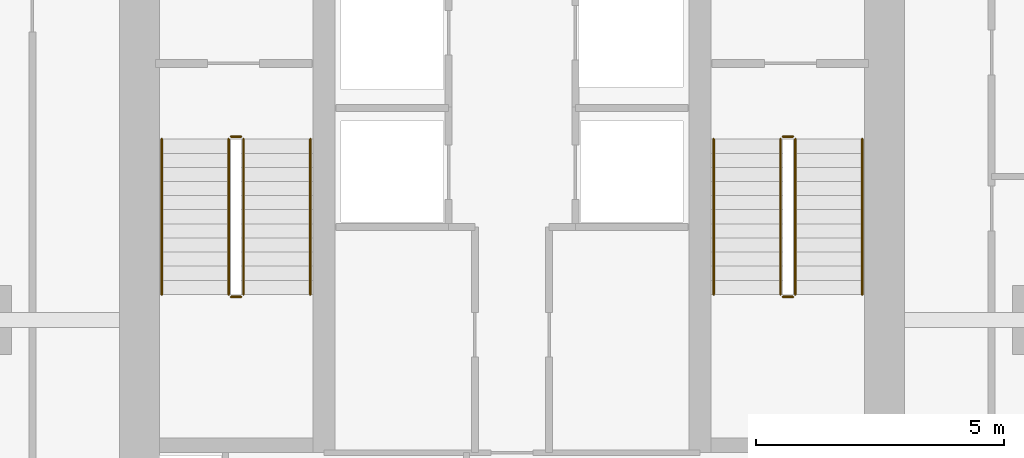
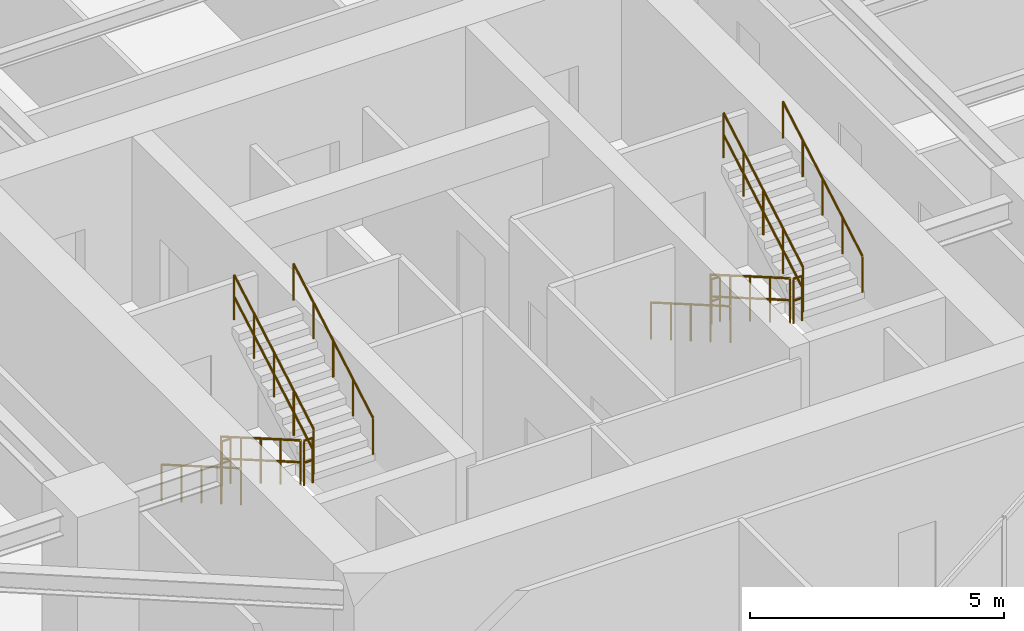
# One storey, part 19 of 20: 12 railings.
"""IFC4 building model written with IfcOpenShell, lengths in metres."""

from ifc_helpers import new_model, si_unit, direction, frame, origin, origin_2d, place, context, subcontext, project, spatial, circle, extrude, material, layer, layer_set, type_object, element, save


model = new_model("IFC4")

# Units and contexts
model_context = context("Model", 3, precision=1e-05, world=origin(), true_north=direction((0.0, 1.0)))
body_context = subcontext(model_context, "Body", "Model", "MODEL_VIEW")
ifc_project = project(units=[si_unit("LENGTHUNIT", "METRE"), si_unit("AREAUNIT", "SQUARE_METRE"), si_unit("VOLUMEUNIT", "CUBIC_METRE"), si_unit("PLANEANGLEUNIT", "RADIAN"), si_unit("MASSUNIT", "GRAM", prefix="KILO")], contexts=[model_context])

# Site, building, storey
site_placement = place(None, origin())
site = spatial("IfcSite", under=ifc_project, at=site_placement, CompositionType="ELEMENT")
building_placement = place(site_placement, origin())
building = spatial("IfcBuilding", under=site, at=building_placement, Name="Krantzveldt Concourse Tower", CompositionType="ELEMENT")
storey_placement = place(building_placement, frame((0.0, 0.0, 291.10009765625)))
storey = spatial("IfcBuildingStorey", under=building, at=storey_placement, Name="L71", CompositionType="ELEMENT", Elevation=291.10009765625)

# Railings
ifc_material = material(Name="Stainless steel 316L", Category="steel")
ifc_layer_1 = layer(ifc_material, 0.06005859375, Name="Stainless steel 316L", Category="steel")
ifc_layer_set_1 = layer_set([ifc_layer_1], Name="Stainless steel 316L (RL-GUARD-1120)")
railing_type_1 = type_object("IfcRailingType", Name="RL-GUARD-1120", PredefinedType="GUARDRAIL", material=ifc_layer_set_1)
railing_1_placement = place(storey_placement, frame((30.280029296875, 19.550048828125, 0.16455078125)))
element("IfcRailing", 1, at=railing_1_placement, inside=storey, type_object=railing_type_1, Name="L71 ST-1 stair guard 1", PredefinedType="GUARDRAIL", context=body_context, shape_type="SweptSolid", body=[
    extrude(circle(Radius=0.02392578125, at=origin_2d()), frame((0.0, 0.0, 1.076171875), z_axis=(0.0, -0.865989039225, 0.500062979975), x_axis=(1.0, 0.0, 0.0)), (0.0, 0.0, 1.0), 3.6201171875),
    extrude(circle(Radius=0.02392578125, at=origin_2d()), frame((0.0, 0.0, 0.550048828125), z_axis=(0.0, -0.865989039225, 0.500062979975), x_axis=(1.0, 0.0, 0.0)), (0.0, 0.0, 1.0), 3.6201171875),
    extrude(circle(Radius=0.02099609375, at=origin_2d()), origin(), (0.0, 0.0, 1.0), 1.052001953125),
    extrude(circle(Radius=0.02099609375, at=origin_2d()), frame((0.0, -0.78369140625, 0.45263671875)), (0.0, 0.0, 1.0), 1.052001953125),
    extrude(circle(Radius=0.02099609375, at=origin_2d()), frame((0.0, -1.5673828125, 0.9052734375)), (0.0, 0.0, 1.0), 1.052001953125),
    extrude(circle(Radius=0.02099609375, at=origin_2d()), frame((0.0, -2.351318359375, 1.357666015625)), (0.0, 0.0, 1.0), 1.052001953125),
    extrude(circle(Radius=0.02099609375, at=origin_2d()), frame((0.0, -3.135009765625, 1.810302734375)), (0.0, 0.0, 1.0), 1.052001953125),
])
railing_2_placement = place(storey_placement, frame((30.330078125, 16.364990234375, 1.974853515625)))
element("IfcRailing", 2, at=railing_2_placement, inside=storey, type_object=railing_type_1, Name="L71 ST-1 stair guard 2", PredefinedType="GUARDRAIL", context=body_context, shape_type="SweptSolid", body=[
    extrude(circle(Radius=0.02392578125, at=origin_2d()), frame((0.0, 0.0, 1.076171875), z_axis=(1.0, 0.0, 0.0), x_axis=(0.0, 1.0, 0.0)), (0.0, 0.0, 1.0), 0.199951171875),
    extrude(circle(Radius=0.02392578125, at=origin_2d()), frame((0.0, 0.0, 0.550048828125), z_axis=(1.0, 0.0, 0.0), x_axis=(0.0, 1.0, 0.0)), (0.0, 0.0, 1.0), 0.199951171875),
    extrude(circle(Radius=0.02099609375, at=origin_2d()), origin(), (0.0, 0.0, 1.0), 1.052001953125),
    extrude(circle(Radius=0.02099609375, at=origin_2d()), frame((0.199951171875, 0.0, 0.0)), (0.0, 0.0, 1.0), 1.052001953125),
])
railing_3_placement = place(storey_placement, frame((30.580078125, 16.4150390625, 2.139404296875)))
element("IfcRailing", 3, at=railing_3_placement, inside=storey, type_object=railing_type_1, Name="L71 ST-1 stair guard 3", PredefinedType="GUARDRAIL", context=body_context, shape_type="SweptSolid", body=[
    extrude(circle(Radius=0.02392578125, at=origin_2d()), frame((0.0, 0.0, 1.076171875), z_axis=(0.0, 0.865959834175, 0.500113552702), x_axis=(-1.0, 0.0, 0.0)), (0.0, 0.0, 1.0), 3.620361328125),
    extrude(circle(Radius=0.02392578125, at=origin_2d()), frame((0.0, 0.0, 0.550048828125), z_axis=(0.0, 0.865959834175, 0.500113552702), x_axis=(-1.0, 0.0, 0.0)), (0.0, 0.0, 1.0), 3.620361328125),
    extrude(circle(Radius=0.02099609375, at=origin_2d()), origin(), (0.0, 0.0, 1.0), 1.052001953125),
    extrude(circle(Radius=0.02099609375, at=origin_2d()), frame((0.0, 0.78369140625, 0.45263671875)), (0.0, 0.0, 1.0), 1.052001953125),
    extrude(circle(Radius=0.02099609375, at=origin_2d()), frame((0.0, 1.5673828125, 0.9052734375)), (0.0, 0.0, 1.0), 1.052001953125),
    extrude(circle(Radius=0.02099609375, at=origin_2d()), frame((0.0, 2.351318359375, 1.35791015625)), (0.0, 0.0, 1.0), 1.052001953125),
    extrude(circle(Radius=0.02099609375, at=origin_2d()), frame((0.0, 3.135009765625, 1.810546875)), (0.0, 0.0, 1.0), 1.052001953125),
])
railing_4_placement = place(storey_placement, frame((30.330078125, 19.60009765625, 0.0)))
element("IfcRailing", 4, at=railing_4_placement, inside=storey, type_object=railing_type_1, Name="L71 ST-1 stair guard 4", PredefinedType="GUARDRAIL", context=body_context, shape_type="SweptSolid", body=[
    extrude(circle(Radius=0.02392578125, at=origin_2d()), frame((0.0, 0.0, 1.076171875), z_axis=(1.0, 0.0, 0.0), x_axis=(0.0, 1.0, 0.0)), (0.0, 0.0, 1.0), 0.199951171875),
    extrude(circle(Radius=0.02392578125, at=origin_2d()), frame((0.0, 0.0, 0.550048828125), z_axis=(1.0, 0.0, 0.0), x_axis=(0.0, 1.0, 0.0)), (0.0, 0.0, 1.0), 0.199951171875),
    extrude(circle(Radius=0.02099609375, at=origin_2d()), origin(), (0.0, 0.0, 1.0), 1.052001953125),
    extrude(circle(Radius=0.02099609375, at=origin_2d()), frame((0.199951171875, 0.0, 0.0)), (0.0, 0.0, 1.0), 1.052001953125),
])
railing_5_placement = place(storey_placement, frame((41.419921875, 19.550048828125, 0.16455078125)))
element("IfcRailing", 5, at=railing_5_placement, inside=storey, type_object=railing_type_1, Name="L71 ST-2 stair guard 1", PredefinedType="GUARDRAIL", context=body_context, shape_type="SweptSolid", body=[
    extrude(circle(Radius=0.02392578125, at=origin_2d()), frame((0.0, 0.0, 1.076171875), z_axis=(0.0, -0.865989039225, 0.500062979975), x_axis=(1.0, 0.0, 0.0)), (0.0, 0.0, 1.0), 3.6201171875),
    extrude(circle(Radius=0.02392578125, at=origin_2d()), frame((0.0, 0.0, 0.550048828125), z_axis=(0.0, -0.865989039225, 0.500062979975), x_axis=(1.0, 0.0, 0.0)), (0.0, 0.0, 1.0), 3.6201171875),
    extrude(circle(Radius=0.02099609375, at=origin_2d()), origin(), (0.0, 0.0, 1.0), 1.052001953125),
    extrude(circle(Radius=0.02099609375, at=origin_2d()), frame((0.0, -0.78369140625, 0.45263671875)), (0.0, 0.0, 1.0), 1.052001953125),
    extrude(circle(Radius=0.02099609375, at=origin_2d()), frame((0.0, -1.5673828125, 0.9052734375)), (0.0, 0.0, 1.0), 1.052001953125),
    extrude(circle(Radius=0.02099609375, at=origin_2d()), frame((0.0, -2.351318359375, 1.357666015625)), (0.0, 0.0, 1.0), 1.052001953125),
    extrude(circle(Radius=0.02099609375, at=origin_2d()), frame((0.0, -3.135009765625, 1.810302734375)), (0.0, 0.0, 1.0), 1.052001953125),
])
railing_6_placement = place(storey_placement, frame((41.469970703125, 16.364990234375, 1.974853515625)))
element("IfcRailing", 6, at=railing_6_placement, inside=storey, type_object=railing_type_1, Name="L71 ST-2 stair guard 2", PredefinedType="GUARDRAIL", context=body_context, shape_type="SweptSolid", body=[
    extrude(circle(Radius=0.02392578125, at=origin_2d()), frame((0.0, 0.0, 1.076171875), z_axis=(1.0, 0.0, 0.0), x_axis=(0.0, 1.0, 0.0)), (0.0, 0.0, 1.0), 0.199951171875),
    extrude(circle(Radius=0.02392578125, at=origin_2d()), frame((0.0, 0.0, 0.550048828125), z_axis=(1.0, 0.0, 0.0), x_axis=(0.0, 1.0, 0.0)), (0.0, 0.0, 1.0), 0.199951171875),
    extrude(circle(Radius=0.02099609375, at=origin_2d()), origin(), (0.0, 0.0, 1.0), 1.052001953125),
    extrude(circle(Radius=0.02099609375, at=origin_2d()), frame((0.199951171875, 0.0, 0.0)), (0.0, 0.0, 1.0), 1.052001953125),
])
railing_7_placement = place(storey_placement, frame((41.719970703125, 16.4150390625, 2.139404296875)))
element("IfcRailing", 7, at=railing_7_placement, inside=storey, type_object=railing_type_1, Name="L71 ST-2 stair guard 3", PredefinedType="GUARDRAIL", context=body_context, shape_type="SweptSolid", body=[
    extrude(circle(Radius=0.02392578125, at=origin_2d()), frame((0.0, 0.0, 1.076171875), z_axis=(0.0, 0.865959834175, 0.500113552702), x_axis=(-1.0, 0.0, 0.0)), (0.0, 0.0, 1.0), 3.620361328125),
    extrude(circle(Radius=0.02392578125, at=origin_2d()), frame((0.0, 0.0, 0.550048828125), z_axis=(0.0, 0.865959834175, 0.500113552702), x_axis=(-1.0, 0.0, 0.0)), (0.0, 0.0, 1.0), 3.620361328125),
    extrude(circle(Radius=0.02099609375, at=origin_2d()), origin(), (0.0, 0.0, 1.0), 1.052001953125),
    extrude(circle(Radius=0.02099609375, at=origin_2d()), frame((0.0, 0.78369140625, 0.45263671875)), (0.0, 0.0, 1.0), 1.052001953125),
    extrude(circle(Radius=0.02099609375, at=origin_2d()), frame((0.0, 1.5673828125, 0.9052734375)), (0.0, 0.0, 1.0), 1.052001953125),
    extrude(circle(Radius=0.02099609375, at=origin_2d()), frame((0.0, 2.351318359375, 1.35791015625)), (0.0, 0.0, 1.0), 1.052001953125),
    extrude(circle(Radius=0.02099609375, at=origin_2d()), frame((0.0, 3.135009765625, 1.810546875)), (0.0, 0.0, 1.0), 1.052001953125),
])
railing_8_placement = place(storey_placement, frame((41.469970703125, 19.60009765625, 0.0)))
element("IfcRailing", 8, at=railing_8_placement, inside=storey, type_object=railing_type_1, Name="L71 ST-2 stair guard 4", PredefinedType="GUARDRAIL", context=body_context, shape_type="SweptSolid", body=[
    extrude(circle(Radius=0.02392578125, at=origin_2d()), frame((0.0, 0.0, 1.076171875), z_axis=(1.0, 0.0, 0.0), x_axis=(0.0, 1.0, 0.0)), (0.0, 0.0, 1.0), 0.199951171875),
    extrude(circle(Radius=0.02392578125, at=origin_2d()), frame((0.0, 0.0, 0.550048828125), z_axis=(1.0, 0.0, 0.0), x_axis=(0.0, 1.0, 0.0)), (0.0, 0.0, 1.0), 0.199951171875),
    extrude(circle(Radius=0.02099609375, at=origin_2d()), origin(), (0.0, 0.0, 1.0), 1.052001953125),
    extrude(circle(Radius=0.02099609375, at=origin_2d()), frame((0.199951171875, 0.0, 0.0)), (0.0, 0.0, 1.0), 1.052001953125),
])
ifc_layer_2 = layer(ifc_material, 0.050048828125, Name="Stainless steel 316L", Category="steel")
ifc_layer_set_2 = layer_set([ifc_layer_2], Name="Stainless steel 316L (RL-HANDRAIL-920)")
railing_type_2 = type_object("IfcRailingType", Name="RL-HANDRAIL-920", PredefinedType="HANDRAIL", material=ifc_layer_set_2)
railing_9_placement = place(storey_placement, frame((28.929931640625, 19.550048828125, 0.16455078125)))
element("IfcRailing", 9, at=railing_9_placement, inside=storey, type_object=railing_type_2, Name="L71 ST-1 stair handrail 1", PredefinedType="HANDRAIL", context=body_context, shape_type="SweptSolid", body=[
    extrude(circle(Radius=0.02392578125, at=origin_2d()), frame((0.0, 0.0, 0.8759765625), z_axis=(0.0, -0.865989039225, 0.500062979975), x_axis=(1.0, 0.0, 0.0)), (0.0, 0.0, 1.0), 3.6201171875),
    extrude(circle(Radius=0.02099609375, at=origin_2d()), origin(), (0.0, 0.0, 1.0), 0.851806640625),
    extrude(circle(Radius=0.02099609375, at=origin_2d()), frame((0.0, -0.78369140625, 0.45263671875)), (0.0, 0.0, 1.0), 0.851806640625),
    extrude(circle(Radius=0.02099609375, at=origin_2d()), frame((0.0, -1.5673828125, 0.9052734375)), (0.0, 0.0, 1.0), 0.851806640625),
    extrude(circle(Radius=0.02099609375, at=origin_2d()), frame((0.0, -2.351318359375, 1.357666015625)), (0.0, 0.0, 1.0), 0.851806640625),
    extrude(circle(Radius=0.02099609375, at=origin_2d()), frame((0.0, -3.135009765625, 1.810302734375)), (0.0, 0.0, 1.0), 0.851806640625),
])
railing_10_placement = place(storey_placement, frame((31.929931640625, 16.4150390625, 2.139404296875)))
element("IfcRailing", 10, at=railing_10_placement, inside=storey, type_object=railing_type_2, Name="L71 ST-1 stair handrail 2", PredefinedType="HANDRAIL", context=body_context, shape_type="SweptSolid", body=[
    extrude(circle(Radius=0.02392578125, at=origin_2d()), frame((0.0, 0.0, 0.8759765625), z_axis=(0.0, 0.865959834175, 0.500113552702), x_axis=(-1.0, 0.0, 0.0)), (0.0, 0.0, 1.0), 3.620361328125),
    extrude(circle(Radius=0.02099609375, at=origin_2d()), origin(), (0.0, 0.0, 1.0), 0.851806640625),
    extrude(circle(Radius=0.02099609375, at=origin_2d()), frame((0.0, 0.78369140625, 0.45263671875)), (0.0, 0.0, 1.0), 0.851806640625),
    extrude(circle(Radius=0.02099609375, at=origin_2d()), frame((0.0, 1.5673828125, 0.9052734375)), (0.0, 0.0, 1.0), 0.851806640625),
    extrude(circle(Radius=0.02099609375, at=origin_2d()), frame((0.0, 2.351318359375, 1.35791015625)), (0.0, 0.0, 1.0), 0.851806640625),
    extrude(circle(Radius=0.02099609375, at=origin_2d()), frame((0.0, 3.135009765625, 1.810546875)), (0.0, 0.0, 1.0), 0.851806640625),
])
railing_11_placement = place(storey_placement, frame((40.070068359375, 19.550048828125, 0.16455078125)))
element("IfcRailing", 11, at=railing_11_placement, inside=storey, type_object=railing_type_2, Name="L71 ST-2 stair handrail 1", PredefinedType="HANDRAIL", context=body_context, shape_type="SweptSolid", body=[
    extrude(circle(Radius=0.02392578125, at=origin_2d()), frame((0.0, 0.0, 0.8759765625), z_axis=(0.0, -0.865989039225, 0.500062979975), x_axis=(1.0, 0.0, 0.0)), (0.0, 0.0, 1.0), 3.6201171875),
    extrude(circle(Radius=0.02099609375, at=origin_2d()), origin(), (0.0, 0.0, 1.0), 0.851806640625),
    extrude(circle(Radius=0.02099609375, at=origin_2d()), frame((0.0, -0.78369140625, 0.45263671875)), (0.0, 0.0, 1.0), 0.851806640625),
    extrude(circle(Radius=0.02099609375, at=origin_2d()), frame((0.0, -1.5673828125, 0.9052734375)), (0.0, 0.0, 1.0), 0.851806640625),
    extrude(circle(Radius=0.02099609375, at=origin_2d()), frame((0.0, -2.351318359375, 1.357666015625)), (0.0, 0.0, 1.0), 0.851806640625),
    extrude(circle(Radius=0.02099609375, at=origin_2d()), frame((0.0, -3.135009765625, 1.810302734375)), (0.0, 0.0, 1.0), 0.851806640625),
])
railing_12_placement = place(storey_placement, frame((43.070068359375, 16.4150390625, 2.139404296875)))
element("IfcRailing", 12, at=railing_12_placement, inside=storey, type_object=railing_type_2, Name="L71 ST-2 stair handrail 2", PredefinedType="HANDRAIL", context=body_context, shape_type="SweptSolid", body=[
    extrude(circle(Radius=0.02392578125, at=origin_2d()), frame((0.0, 0.0, 0.8759765625), z_axis=(0.0, 0.865959834175, 0.500113552702), x_axis=(-1.0, 0.0, 0.0)), (0.0, 0.0, 1.0), 3.620361328125),
    extrude(circle(Radius=0.02099609375, at=origin_2d()), origin(), (0.0, 0.0, 1.0), 0.851806640625),
    extrude(circle(Radius=0.02099609375, at=origin_2d()), frame((0.0, 0.78369140625, 0.45263671875)), (0.0, 0.0, 1.0), 0.851806640625),
    extrude(circle(Radius=0.02099609375, at=origin_2d()), frame((0.0, 1.5673828125, 0.9052734375)), (0.0, 0.0, 1.0), 0.851806640625),
    extrude(circle(Radius=0.02099609375, at=origin_2d()), frame((0.0, 2.351318359375, 1.35791015625)), (0.0, 0.0, 1.0), 0.851806640625),
    extrude(circle(Radius=0.02099609375, at=origin_2d()), frame((0.0, 3.135009765625, 1.810546875)), (0.0, 0.0, 1.0), 0.851806640625),
])

save(model, "model.ifc")
